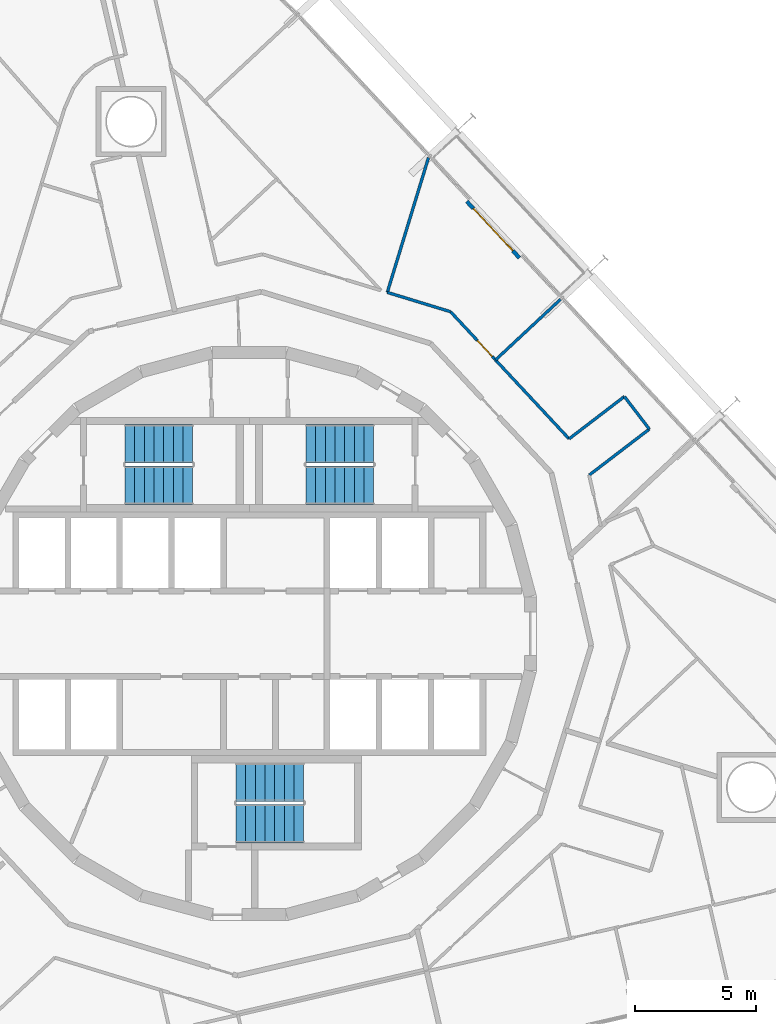
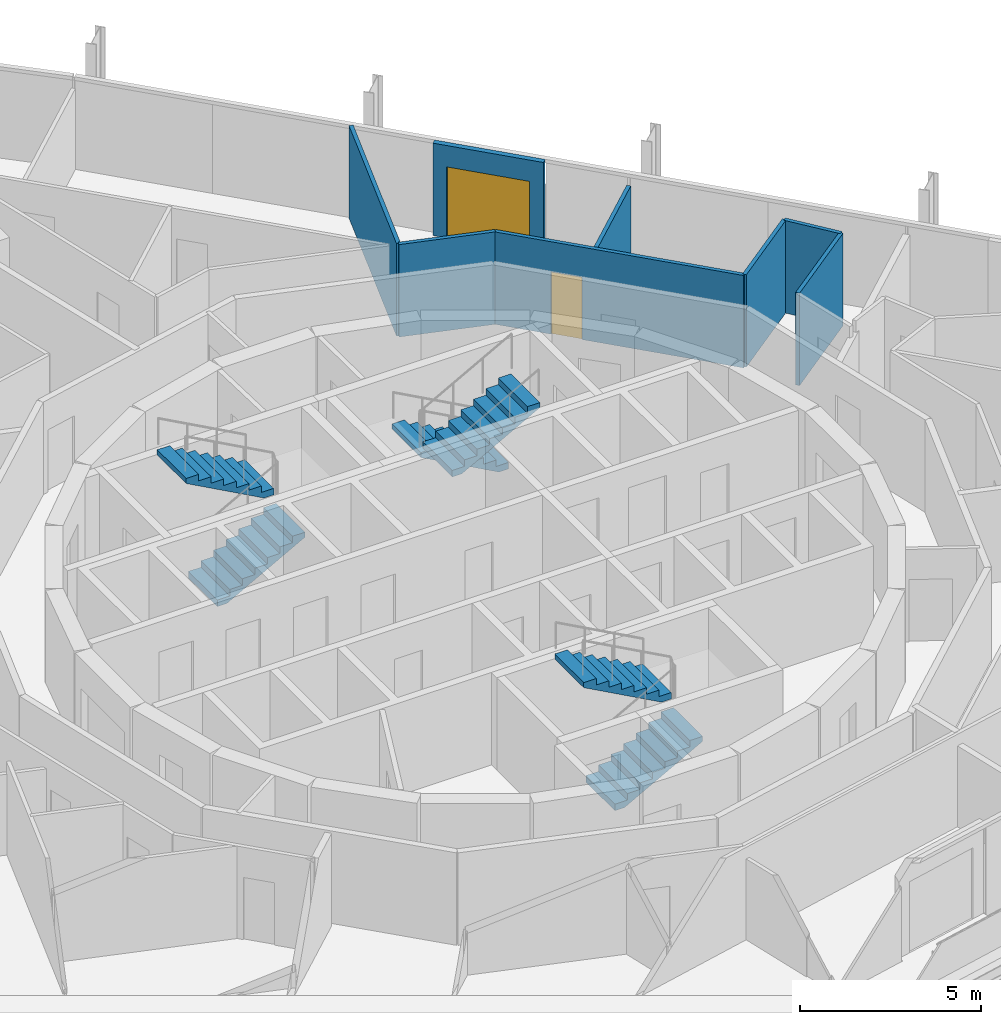
# One storey, part 17 of 18: 8 walls, 6 stair flights, 2 doors, 2 openings, 3 elements without a shape of their own.
"""IFC4 building model written with IfcOpenShell, lengths in metres."""

import ifcopenshell
import ifcopenshell.guid

model = None  # the IFC model being written
_history = None  # IfcOwnerHistory: only IFC2X3 demands one
_inside = {}  # id of a spatial element -> (the spatial element, [elements in it])
_under = {}  # id of a project, library or spatial element -> (it, [spatial elements below it])
_declared = {}  # id of a project -> (the project, [libraries it declares])
_typed = {}  # id of a type object -> (the type object, [elements of that type])
_made_of = {}  # id of a material, layer set ... -> (it, [elements and type objects made of it])


def new_model(schema):
    """Start an empty IFC model of exactly this schema.

    Asked for "IFC4X3", IfcOpenShell would pick the latest addendum, in which some entities
    have other attributes; the version numbers below select the first issue.
    IFC2X3 requires an IfcOwnerHistory on every rooted entity: one is made here for all.
    """
    global model, _history
    if schema == "IFC4X3":
        model = ifcopenshell.file(schema_version=(4, 3, 0, 0))
    else:
        model = ifcopenshell.file(schema=schema)
    _inside.clear()
    _under.clear()
    _declared.clear()
    _typed.clear()
    _made_of.clear()
    _history = None
    if model.schema == "IFC2X3":
        org = make("IfcOrganization", Name="unknown")
        user = make(
            "IfcPersonAndOrganization",
            ThePerson=make("IfcPerson", FamilyName="unknown"),
            TheOrganization=org,
        )
        app = make(
            "IfcApplication",
            ApplicationDeveloper=org,
            Version="unknown",
            ApplicationFullName="unknown",
            ApplicationIdentifier="unknown",
        )
        _history = make(
            "IfcOwnerHistory",
            OwningUser=user,
            OwningApplication=app,
            ChangeAction="ADDED",
            CreationDate=0,
        )
    return model


def make(cls, **values):
    """One entity of the class cls with the attributes given. An attribute that is None is left unset."""
    return model.create_entity(
        cls, **{name: value for name, value in values.items() if value is not None}
    )


def rooted(cls, **values):
    """An entity with a GlobalId (a new one), such as an element, a storey or a relation."""
    return make(cls, GlobalId=ifcopenshell.guid.new(), OwnerHistory=_history, **values)


def si_unit(unit_type, name, prefix=None):
    """IfcSIUnit, for example si_unit("LENGTHUNIT", "METRE", prefix="MILLI")."""
    return make("IfcSIUnit", UnitType=unit_type, Prefix=prefix, Name=name)


def assignment(units):
    """IfcUnitAssignment: the units of a project."""
    return None if units is None else make("IfcUnitAssignment", Units=units)


def point(xyz):
    """IfcCartesianPoint."""
    return None if xyz is None else make("IfcCartesianPoint", Coordinates=xyz)


def direction(xyz):
    """IfcDirection."""
    return None if xyz is None else make("IfcDirection", DirectionRatios=xyz)


def frame(location, z_axis=None, x_axis=None):
    """IfcAxis2Placement3D, a coordinate frame: its origin and axes. An axis left out is left unset."""
    return make(
        "IfcAxis2Placement3D",
        Location=point(location),
        Axis=direction(z_axis),
        RefDirection=direction(x_axis),
    )


def frame_2d(location, x_axis=None):
    """IfcAxis2Placement2D, a coordinate frame in the plane: its origin and x axis."""
    return make(
        "IfcAxis2Placement2D", Location=point(location), RefDirection=direction(x_axis)
    )


def origin():
    """The frame at (0, 0, 0) with its axes left unset."""
    return frame((0.0, 0.0, 0.0))


def place(relative_to, where):
    """IfcLocalPlacement: puts the frame where relative to a parent placement (None: the world)."""
    return make(
        "IfcLocalPlacement", PlacementRelTo=relative_to, RelativePlacement=where
    )


def context(
    kind, dimensions, precision=None, world=None, true_north=None, identifier=None
):
    """IfcGeometricRepresentationContext, for example the 3D "Model" context."""
    return make(
        "IfcGeometricRepresentationContext",
        ContextIdentifier=identifier,
        ContextType=kind,
        CoordinateSpaceDimension=dimensions,
        Precision=precision,
        WorldCoordinateSystem=world,
        TrueNorth=true_north,
    )


def subcontext(parent, identifier, kind, view, scale=None):
    """IfcGeometricRepresentationSubContext, for example "Body" below "Model"."""
    return make(
        "IfcGeometricRepresentationSubContext",
        ContextIdentifier=identifier,
        ContextType=kind,
        ParentContext=parent,
        TargetScale=scale,
        TargetView=view,
    )


def project(units=None, contexts=None):
    """IfcProject with its units and contexts."""
    return rooted(
        "IfcProject",
        Name="project",
        RepresentationContexts=contexts,
        UnitsInContext=assignment(units),
    )


def spatial(cls, under=None, at=None, **own):
    """A site, building, storey or space (cls), placed at a placement, below another one or the project."""
    s = rooted(cls, ObjectPlacement=at, **own)
    if under is not None:
        _under.setdefault(under.id(), (under, []))[1].append(s)
    return s


def polyline(points):
    """IfcPolyline through the points."""
    return make("IfcPolyline", Points=[point(p) for p in points])


def profile(cls, at=None, kind="AREA", **sizes):
    """A parametric profile (cls). Its sizes go by their IFC names, for example OverallWidth=200.0."""
    return make(cls, ProfileType=kind, Position=at, **sizes)


def rectangle(**sizes):
    """IfcRectangleProfileDef."""
    return profile("IfcRectangleProfileDef", **sizes)


def outline(outer, holes=None, kind="AREA"):
    """IfcArbitraryClosedProfileDef: a profile drawn as a closed curve; with holes, ...WithVoids."""
    if holes is None:
        return make("IfcArbitraryClosedProfileDef", ProfileType=kind, OuterCurve=outer)
    return make(
        "IfcArbitraryProfileDefWithVoids",
        ProfileType=kind,
        OuterCurve=outer,
        InnerCurves=holes,
    )


def extrude(swept, where, along, depth):
    """IfcExtrudedAreaSolid: the profile swept, set in the frame where, extruded along a direction by depth."""
    return make(
        "IfcExtrudedAreaSolid",
        SweptArea=swept,
        Position=where,
        ExtrudedDirection=direction(along),
        Depth=depth,
    )


def shape(context_of_items, identifier, shape_type, items):
    """IfcShapeRepresentation: the items that make up one representation, for example the "Body"."""
    return make(
        "IfcShapeRepresentation",
        ContextOfItems=context_of_items,
        RepresentationIdentifier=identifier,
        RepresentationType=shape_type,
        Items=items,
    )


def material(Name=None, Category=None):
    """IfcMaterial."""
    return make("IfcMaterial", Name=Name, Category=Category)


def layer(
    of_material, thickness, ventilated=None, Name=None, Category=None, Priority=None
):
    """IfcMaterialLayer: one layer of a wall or slab, of a material (None: an air gap)."""
    return make(
        "IfcMaterialLayer",
        Material=of_material,
        LayerThickness=thickness,
        IsVentilated=ventilated,
        Name=Name,
        Category=Category,
        Priority=Priority,
    )


def layer_set(layers, Name=None):
    """IfcMaterialLayerSet."""
    return make("IfcMaterialLayerSet", MaterialLayers=layers, LayerSetName=Name)


def made_of(thing, what):
    """Note that an element or type object is made of a material, layer set ...; save() writes the relation."""
    if what is not None:
        _made_of.setdefault(what.id(), (what, []))[1].append(thing)
    return thing


def type_object(cls, material=None, **own):
    """A type object (cls), such as IfcWallType, which elements share."""
    return made_of(rooted(cls, **own), material)


def element(
    cls,
    number,
    at=None,
    inside=None,
    cuts=None,
    type_object=None,
    material=None,
    context=None,
    identifier="Body",
    shape_type=None,
    held_by="IfcProductDefinitionShape",
    body=None,
    shapes=None,
    **own,
):
    """One element of the class cls, such as IfcWall. Its Tag is "e" and its number.

    at: its placement. inside: the storey or other place that contains it. cuts: it is an
    opening in that element (IfcRelVoidsElement). A single representation is given by context,
    identifier, shape_type and body (its items); several are given by shapes. held_by: the class
    of the entity that holds the representations. save() writes the other relations.
    """
    e = rooted(cls, Tag="e%d" % number, ObjectPlacement=at, **own)
    if body is not None:
        shapes = [shape(context, identifier, shape_type, body)]
    if shapes is not None:
        e.Representation = make(held_by, Representations=shapes)
    if inside is not None:
        _inside.setdefault(inside.id(), (inside, []))[1].append(e)
    if cuts is not None:
        rooted(
            "IfcRelVoidsElement", RelatingBuildingElement=cuts, RelatedOpeningElement=e
        )
    if type_object is not None:
        _typed.setdefault(type_object.id(), (type_object, []))[1].append(e)
    return made_of(e, material)


def fill(opening, filler):
    """IfcRelFillsElement: the door or window that sits in an opening."""
    return rooted(
        "IfcRelFillsElement",
        RelatingOpeningElement=opening,
        RelatedBuildingElement=filler,
    )


def aggregate(whole, parts):
    """IfcRelAggregates: a whole, such as a stair, and the parts it consists of."""
    return rooted("IfcRelAggregates", RelatingObject=whole, RelatedObjects=parts)


def save(model, path):
    """Write the relations noted so far, then the file.

    IfcRelAggregates (storeys below a building ...), IfcRelContainedInSpatialStructure (elements
    in a storey), IfcRelDefinesByType, IfcRelAssociatesMaterial and IfcRelDeclares: one each for
    every whole, place, type object, material and project.
    """
    for whole, parts in _under.values():
        aggregate(whole, parts)
    for where, things in _inside.values():
        rooted(
            "IfcRelContainedInSpatialStructure",
            RelatedElements=things,
            RelatingStructure=where,
        )
    for kind, things in _typed.values():
        rooted("IfcRelDefinesByType", RelatedObjects=things, RelatingType=kind)
    for what, things in _made_of.values():
        rooted("IfcRelAssociatesMaterial", RelatedObjects=things, RelatingMaterial=what)
    for by, libraries in _declared.values():
        rooted("IfcRelDeclares", RelatingContext=by, RelatedDefinitions=libraries)
    model.write(path)


model = new_model("IFC4")

# Units and contexts
model_context = context("Model", 3, precision=1e-05, world=origin(), true_north=direction((0.0, 1.0)))
body_context = subcontext(model_context, "Body", "Model", "MODEL_VIEW")
ifc_project = project(units=[si_unit("LENGTHUNIT", "METRE"), si_unit("AREAUNIT", "SQUARE_METRE"), si_unit("VOLUMEUNIT", "CUBIC_METRE"), si_unit("PLANEANGLEUNIT", "RADIAN"), si_unit("MASSUNIT", "GRAM", prefix="KILO")], contexts=[model_context])

# Site, building, storey
site_placement = place(None, origin())
site = spatial("IfcSite", under=ifc_project, at=site_placement, CompositionType="ELEMENT")
building_placement = place(site_placement, origin())
building = spatial("IfcBuilding", under=site, at=building_placement, Name="Spindle Arch Residences", CompositionType="ELEMENT")
storey_placement = place(building_placement, frame((0.0, 0.0, 123.89990234375)))
storey = spatial("IfcBuildingStorey", under=building, at=storey_placement, Name="L30", CompositionType="ELEMENT", Elevation=123.89990234375)

# Walls
ifc_material_1 = material(Name="Plasterboard on steel studs", Category="steel")
ifc_layer_1 = layer(ifc_material_1, 0.1201171875)
ifc_layer_set_1 = layer_set([ifc_layer_1], Name="Flat partition 120")
wall_type_1 = type_object("IfcWallType", Name="Flat partition 120", PredefinedType="PARTITIONING", material=ifc_layer_set_1)
wall_1_placement = place(storey_placement, frame((14.083251953125, 6.56884765625, 0.0), z_axis=(0.0, 0.0, 1.0), x_axis=(0.794099847012, 0.607787325449, 0.0)))
element("IfcWall", 1, at=wall_1_placement, inside=storey, type_object=wall_type_1, Name="Flat partition R3B1-W028", PredefinedType="PARTITIONING", context=body_context, shape_type="SweptSolid", body=[
    extrude(rectangle(XDim=3.1435546875, YDim=0.1201171875, at=frame_2d((1.57177734375, 0.0))), origin(), (0.0, 0.0, 1.0), 3.1201171875),
])
wall_2_placement = place(storey_placement, frame((16.57958984375, 8.4794921875, 0.0), z_axis=(0.0, 0.0, 1.0), x_axis=(-0.607897770777, 0.794015302298, 0.0)))
element("IfcWall", 2, at=wall_2_placement, inside=storey, type_object=wall_type_1, Name="Flat partition R3B1-W029", PredefinedType="PARTITIONING", context=body_context, shape_type="SweptSolid", body=[
    extrude(rectangle(XDim=1.699951171875, YDim=0.1201171875, at=frame_2d((0.85009765625, 0.0))), origin(), (0.0, 0.0, 1.0), 3.1201171875),
])
wall_3_placement = place(storey_placement, frame((15.546142578125, 9.829345703125, 0.0), z_axis=(0.0, 0.0, 1.0), x_axis=(-0.794096114645, -0.607792201912, 0.0)))
element("IfcWall", 3, at=wall_3_placement, inside=storey, type_object=wall_type_1, Name="Flat partition R3B1-W030", PredefinedType="PARTITIONING", context=body_context, shape_type="SweptSolid", body=[
    extrude(rectangle(XDim=2.886962890625, YDim=0.1201171875, at=frame_2d((1.443359375, 0.0))), origin(), (0.0, 0.0, 1.0), 3.1201171875),
])

# Wall, opening, door
wall_4_placement = place(storey_placement, frame((13.253662109375, 8.07470703125, 0.0), z_axis=(0.0, 0.0, 1.0), x_axis=(-0.681995901471, 0.731355994285, 0.0)))
wall_4 = element("IfcWall", 4, at=wall_4_placement, inside=storey, type_object=wall_type_1, Name="Flat partition R3B1-W031", PredefinedType="PARTITIONING", context=body_context, shape_type="SweptSolid", body=[
    extrude(rectangle(XDim=7.20654296875, YDim=0.1201171875, at=frame_2d((3.603271484375, 0.0))), origin(), (0.0, 0.0, 1.0), 3.1201171875),
])
opening_1_placement = place(wall_4_placement, frame((4.671875, 0.0, 0.0)))
opening_1 = element("IfcOpeningElement", 5, at=opening_1_placement, cuts=wall_4, Name="Opening R3B1-ID02", PredefinedType="OPENING", context=body_context, shape_type="SweptSolid", body=[
    extrude(rectangle(XDim=0.89990234375, YDim=2.10009765625, at=frame_2d((0.449951171875, 1.050048828125))), frame((0.0, 0.070068359375, 0.0), z_axis=(0.0, -1.0, 0.0), x_axis=(1.0, 0.0, 0.0)), (0.0, 0.0, 1.0), 0.14013671875),
])
ifc_material_2 = material(Name="Timber door set", Category="wood")
door_type_1 = type_object("IfcDoorType", Name="Room door 900x2100", OperationType="NOTDEFINED", PredefinedType="DOOR", material=ifc_material_2)
door_1_placement = place(opening_1_placement, origin())
door_1 = element("IfcDoor", 6, at=door_1_placement, inside=storey, type_object=door_type_1, Name="Room door R3B1-ID02", OperationType="SINGLE_SWING_RIGHT", OverallHeight=2.10009765625, OverallWidth=0.89990234375, PredefinedType="DOOR", context=body_context, shape_type="SweptSolid", body=[
    extrude(rectangle(XDim=0.89990234375, YDim=2.10009765625, at=frame_2d((0.449951171875, 1.050048828125))), frame((0.0, 0.02490234375, 0.0), z_axis=(0.0, -1.0, 0.0), x_axis=(1.0, 0.0, 0.0)), (0.0, 0.0, 1.0), 0.050048828125),
])
fill(opening_1, door_1)

# Walls
wall_5_placement = place(storey_placement, frame((8.3388671875, 13.34521484375, 0.0), z_axis=(0.0, 0.0, 1.0), x_axis=(-0.956324586315, 0.292306834695, 0.0)))
element("IfcWall", 7, at=wall_5_placement, inside=storey, type_object=wall_type_1, Name="Flat partition R3B1-W032", PredefinedType="PARTITIONING", context=body_context, shape_type="SweptSolid", body=[
    extrude(rectangle(XDim=2.739501953125, YDim=0.1201171875, at=frame_2d((1.36962890625, 0.0))), origin(), (0.0, 0.0, 1.0), 3.1201171875),
])
wall_6_placement = place(storey_placement, frame((7.427490234375, 19.734375, 0.0), z_axis=(0.0, 0.0, 1.0), x_axis=(-0.292365007065, -0.956306803617, 0.0)))
element("IfcWall", 8, at=wall_6_placement, inside=storey, type_object=wall_type_1, Name="Flat partition R3B1-W041", PredefinedType="PARTITIONING", context=body_context, shape_type="SweptSolid", body=[
    extrude(rectangle(XDim=5.84375, YDim=0.1201171875, at=frame_2d((2.921875, 0.0))), origin(), (0.0, 0.0, 1.0), 3.1201171875),
])
ifc_material_3 = material(Name="Plasterboard on steel studs", Category="steel")
ifc_layer_2 = layer(ifc_material_3, 0.1201171875)
ifc_layer_set_2 = layer_set([ifc_layer_2], Name="Flat partition 120 under beam 2730")
wall_type_2 = type_object("IfcWallType", Name="Flat partition 120 under beam 2730", PredefinedType="PARTITIONING", material=ifc_layer_set_2)
wall_7_placement = place(storey_placement, frame((12.9033203125, 13.8623046875, 0.0), z_axis=(0.0, 0.0, 1.0), x_axis=(-0.731380732155, -0.68196937221, 0.0)))
element("IfcWall", 9, at=wall_7_placement, inside=storey, type_object=wall_type_2, Name="Flat partition R3B1-W040", PredefinedType="PARTITIONING", context=body_context, shape_type="SweptSolid", body=[
    extrude(rectangle(XDim=3.69091796875, YDim=0.1201171875, at=frame_2d((1.845458984375, 0.0))), origin(), (0.0, 0.0, 1.0), 2.72998046875),
])

# Wall, opening, door
ifc_material_4 = material(Name="Non-combustible mineral wool insulated aluminium faced external wall (K0)", Category="aluminium")
ifc_layer_3 = layer(ifc_material_4, 0.159912109375)
ifc_layer_set_3 = layer_set([ifc_layer_3], Name="Insulated external wall panel 160")
wall_type_3 = type_object("IfcWallType", Name="Insulated external wall panel 160", PredefinedType="STANDARD", material=ifc_layer_set_3)
wall_8_placement = place(storey_placement, frame((11.197998046875, 15.57373046875, 0.0), z_axis=(0.0, 0.0, 1.0), x_axis=(-0.681994703002, 0.731357111866, 0.0)))
wall_8 = element("IfcWall", 10, at=wall_8_placement, inside=storey, type_object=wall_type_3, Name="External wall L30 bay 8", PredefinedType="STANDARD", context=body_context, shape_type="SweptSolid", body=[
    extrude(rectangle(XDim=3.199951171875, YDim=0.159912109375, at=frame_2d((1.60009765625, 0.0))), origin(), (0.0, 0.0, 1.0), 3.1201171875),
])
opening_2_placement = place(wall_8_placement, frame((0.39990234375, 0.0, 0.0)))
opening_2 = element("IfcOpeningElement", 11, at=opening_2_placement, cuts=wall_8, Name="Opening BD08", PredefinedType="OPENING", context=body_context, shape_type="SweptSolid", body=[
    extrude(rectangle(XDim=2.39990234375, YDim=2.39990234375, at=frame_2d((1.199951171875, 1.199951171875))), frame((0.0, 0.08984375, 0.0), z_axis=(0.0, -1.0, 0.0), x_axis=(1.0, 0.0, 0.0)), (0.0, 0.0, 1.0), 0.179931640625),
])
ifc_material_5 = material(Name="Bronze aluminium frame, tinted double glazing", Category="aluminium")
door_type_2 = type_object("IfcDoorType", Name="Sliding glazed balcony door 2400x2400", OperationType="DOUBLE_DOOR_SLIDING", PredefinedType="DOOR", material=ifc_material_5)
door_2_placement = place(opening_2_placement, origin())
door_2 = element("IfcDoor", 12, at=door_2_placement, inside=storey, type_object=door_type_2, Name="Balcony door BD08", OperationType="DOUBLE_DOOR_SLIDING", OverallHeight=2.39990234375, OverallWidth=2.39990234375, PredefinedType="DOOR", context=body_context, shape_type="SweptSolid", body=[
    extrude(rectangle(XDim=2.39990234375, YDim=2.39990234375, at=frame_2d((1.199951171875, 1.199951171875))), frame((0.0, 0.02490234375, 0.0), z_axis=(0.0, -1.0, 0.0), x_axis=(1.0, 0.0, 0.0)), (0.0, 0.0, 1.0), 0.050048828125),
])
fill(opening_2, door_2)

# Stair, stair flights
ifc_material_6 = material(Name="Concrete C50/60", Category="concrete")
stair_type = type_object("IfcStairType", Name="Exit stair 16 risers", PredefinedType="HALF_TURN_STAIR", material=ifc_material_6)
stair_1_placement = place(storey_placement, origin())
stair_1 = element("IfcStair", 13, at=stair_1_placement, inside=storey, type_object=stair_type, Name="L30 Exit stair ST1", PredefinedType="HALF_TURN_STAIR")
ifc_material_7 = material(Name="Concrete C50/60", Category="concrete")
stair_flight_type = type_object("IfcStairFlightType", Name="Exit stair flight", PredefinedType="STRAIGHT", material=ifc_material_7)
stair_flight_1_placement = place(storey_placement, frame((5.14990234375, 7.8701171875, 0.0), z_axis=(0.0, 0.0, 1.0), x_axis=(-1.0, 0.0, 0.0)))
stair_flight_1 = element("IfcStairFlight", 14, at=stair_flight_1_placement, type_object=stair_flight_type, Name="ST1 flight 1", NumberOfRisers=8, NumberOfTreads=7, PredefinedType="STRAIGHT", RiserHeight=0.21875, TreadLength=0.4, context=body_context, shape_type="SweptSolid", body=[
    extrude(outline(polyline([(0.0, 0.0), (0.0, 0.21875), (0.39990234375, 0.21875), (0.39990234375, 0.4375), (0.800048828125, 0.4375), (0.800048828125, 0.65625), (1.199951171875, 0.65625), (1.199951171875, 0.875), (1.60009765625, 0.875), (1.60009765625, 1.09375), (2.0, 1.09375), (2.0, 1.3125), (2.39990234375, 1.3125), (2.39990234375, 1.53125), (2.800048828125, 1.53125), (2.800048828125, 1.75), (2.800048828125, 1.3603515625), (0.3125, 0.0), (0.0, 0.0)])), frame((0.0, 0.800048828125, 0.0), z_axis=(0.0, -1.0, 0.0), x_axis=(1.0, 0.0, 0.0)), (0.0, 0.0, 1.0), 1.60009765625),
])
stair_flight_2_placement = place(storey_placement, frame((2.35009765625, 6.14990234375, 1.75), z_axis=(0.0, 0.0, 1.0), x_axis=(1.0, 0.0, 0.0)))
stair_flight_2 = element("IfcStairFlight", 15, at=stair_flight_2_placement, type_object=stair_flight_type, Name="ST1 flight 2", NumberOfRisers=8, NumberOfTreads=7, PredefinedType="STRAIGHT", RiserHeight=0.21875, TreadLength=0.4, context=body_context, shape_type="SweptSolid", body=[
    extrude(outline(polyline([(0.0, 0.0), (0.0, 0.21875), (0.39990234375, 0.21875), (0.39990234375, 0.4375), (0.800048828125, 0.4375), (0.800048828125, 0.65625), (1.199951171875, 0.65625), (1.199951171875, 0.875), (1.60009765625, 0.875), (1.60009765625, 1.09375), (2.0, 1.09375), (2.0, 1.3125), (2.39990234375, 1.3125), (2.39990234375, 1.53125), (2.800048828125, 1.53125), (2.800048828125, 1.75), (2.800048828125, 1.3603515625), (0.3125, 0.0), (0.0, 0.0)])), frame((0.0, 0.800048828125, 0.0), z_axis=(0.0, -1.0, 0.0), x_axis=(1.0, 0.0, 0.0)), (0.0, 0.0, 1.0), 1.60009765625),
])
aggregate(stair_1, [stair_flight_1, stair_flight_2])

stair_2_placement = place(storey_placement, origin())
stair_2 = element("IfcStair", 16, at=stair_2_placement, inside=storey, type_object=stair_type, Name="L30 Exit stair ST2", PredefinedType="HALF_TURN_STAIR")
stair_flight_3_placement = place(storey_placement, frame((-5.14990234375, 6.14990234375, 0.0), z_axis=(0.0, 0.0, 1.0), x_axis=(1.0, 0.0, 0.0)))
stair_flight_3 = element("IfcStairFlight", 17, at=stair_flight_3_placement, type_object=stair_flight_type, Name="ST2 flight 1", NumberOfRisers=8, NumberOfTreads=7, PredefinedType="STRAIGHT", RiserHeight=0.21875, TreadLength=0.4, context=body_context, shape_type="SweptSolid", body=[
    extrude(outline(polyline([(0.0, 0.0), (0.0, 0.21875), (0.39990234375, 0.21875), (0.39990234375, 0.4375), (0.800048828125, 0.4375), (0.800048828125, 0.65625), (1.199951171875, 0.65625), (1.199951171875, 0.875), (1.60009765625, 0.875), (1.60009765625, 1.09375), (2.0, 1.09375), (2.0, 1.3125), (2.39990234375, 1.3125), (2.39990234375, 1.53125), (2.800048828125, 1.53125), (2.800048828125, 1.75), (2.800048828125, 1.3603515625), (0.3125, 0.0), (0.0, 0.0)])), frame((0.0, 0.800048828125, 0.0), z_axis=(0.0, -1.0, 0.0), x_axis=(1.0, 0.0, 0.0)), (0.0, 0.0, 1.0), 1.60009765625),
])
stair_flight_4_placement = place(storey_placement, frame((-2.35009765625, 7.8701171875, 1.75), z_axis=(0.0, 0.0, 1.0), x_axis=(-1.0, 0.0, 0.0)))
stair_flight_4 = element("IfcStairFlight", 18, at=stair_flight_4_placement, type_object=stair_flight_type, Name="ST2 flight 2", NumberOfRisers=8, NumberOfTreads=7, PredefinedType="STRAIGHT", RiserHeight=0.21875, TreadLength=0.4, context=body_context, shape_type="SweptSolid", body=[
    extrude(outline(polyline([(0.0, 0.0), (0.0, 0.21875), (0.39990234375, 0.21875), (0.39990234375, 0.4375), (0.800048828125, 0.4375), (0.800048828125, 0.65625), (1.199951171875, 0.65625), (1.199951171875, 0.875), (1.60009765625, 0.875), (1.60009765625, 1.09375), (2.0, 1.09375), (2.0, 1.3125), (2.39990234375, 1.3125), (2.39990234375, 1.53125), (2.800048828125, 1.53125), (2.800048828125, 1.75), (2.800048828125, 1.3603515625), (0.3125, 0.0), (0.0, 0.0)])), frame((0.0, 0.800048828125, 0.0), z_axis=(0.0, -1.0, 0.0), x_axis=(1.0, 0.0, 0.0)), (0.0, 0.0, 1.0), 1.60009765625),
])
aggregate(stair_2, [stair_flight_3, stair_flight_4])

stair_3_placement = place(storey_placement, origin())
stair_3 = element("IfcStair", 19, at=stair_3_placement, inside=storey, type_object=stair_type, Name="L30 Exit stair ST3", PredefinedType="HALF_TURN_STAIR")
stair_flight_5_placement = place(storey_placement, frame((-0.550048828125, -7.8701171875, 0.0), z_axis=(0.0, 0.0, 1.0), x_axis=(1.0, 0.0, 0.0)))
stair_flight_5 = element("IfcStairFlight", 20, at=stair_flight_5_placement, type_object=stair_flight_type, Name="ST3 flight 1", NumberOfRisers=8, NumberOfTreads=7, PredefinedType="STRAIGHT", RiserHeight=0.21875, TreadLength=0.4, context=body_context, shape_type="SweptSolid", body=[
    extrude(outline(polyline([(0.0, 0.0), (0.0, 0.21875), (0.39990234375, 0.21875), (0.39990234375, 0.4375), (0.800048828125, 0.4375), (0.800048828125, 0.65625), (1.199951171875, 0.65625), (1.199951171875, 0.875), (1.60009765625, 0.875), (1.60009765625, 1.09375), (2.0, 1.09375), (2.0, 1.3125), (2.39990234375, 1.3125), (2.39990234375, 1.53125), (2.800048828125, 1.53125), (2.800048828125, 1.75), (2.800048828125, 1.3603515625), (0.3125, 0.0), (0.0, 0.0)])), frame((0.0, 0.800048828125, 0.0), z_axis=(0.0, -1.0, 0.0), x_axis=(1.0, 0.0, 0.0)), (0.0, 0.0, 1.0), 1.60009765625),
])
stair_flight_6_placement = place(storey_placement, frame((2.25, -6.14990234375, 1.75), z_axis=(0.0, 0.0, 1.0), x_axis=(-1.0, 0.0, 0.0)))
stair_flight_6 = element("IfcStairFlight", 21, at=stair_flight_6_placement, type_object=stair_flight_type, Name="ST3 flight 2", NumberOfRisers=8, NumberOfTreads=7, PredefinedType="STRAIGHT", RiserHeight=0.21875, TreadLength=0.4, context=body_context, shape_type="SweptSolid", body=[
    extrude(outline(polyline([(0.0, 0.0), (0.0, 0.21875), (0.39990234375, 0.21875), (0.39990234375, 0.4375), (0.800048828125, 0.4375), (0.800048828125, 0.65625), (1.199951171875, 0.65625), (1.199951171875, 0.875), (1.60009765625, 0.875), (1.60009765625, 1.09375), (2.0, 1.09375), (2.0, 1.3125), (2.39990234375, 1.3125), (2.39990234375, 1.53125), (2.800048828125, 1.53125), (2.800048828125, 1.75), (2.800048828125, 1.3603515625), (0.3125, 0.0), (0.0, 0.0)])), frame((0.0, 0.800048828125, 0.0), z_axis=(0.0, -1.0, 0.0), x_axis=(1.0, 0.0, 0.0)), (0.0, 0.0, 1.0), 1.60009765625),
])
aggregate(stair_3, [stair_flight_5, stair_flight_6])

save(model, "model.ifc")
